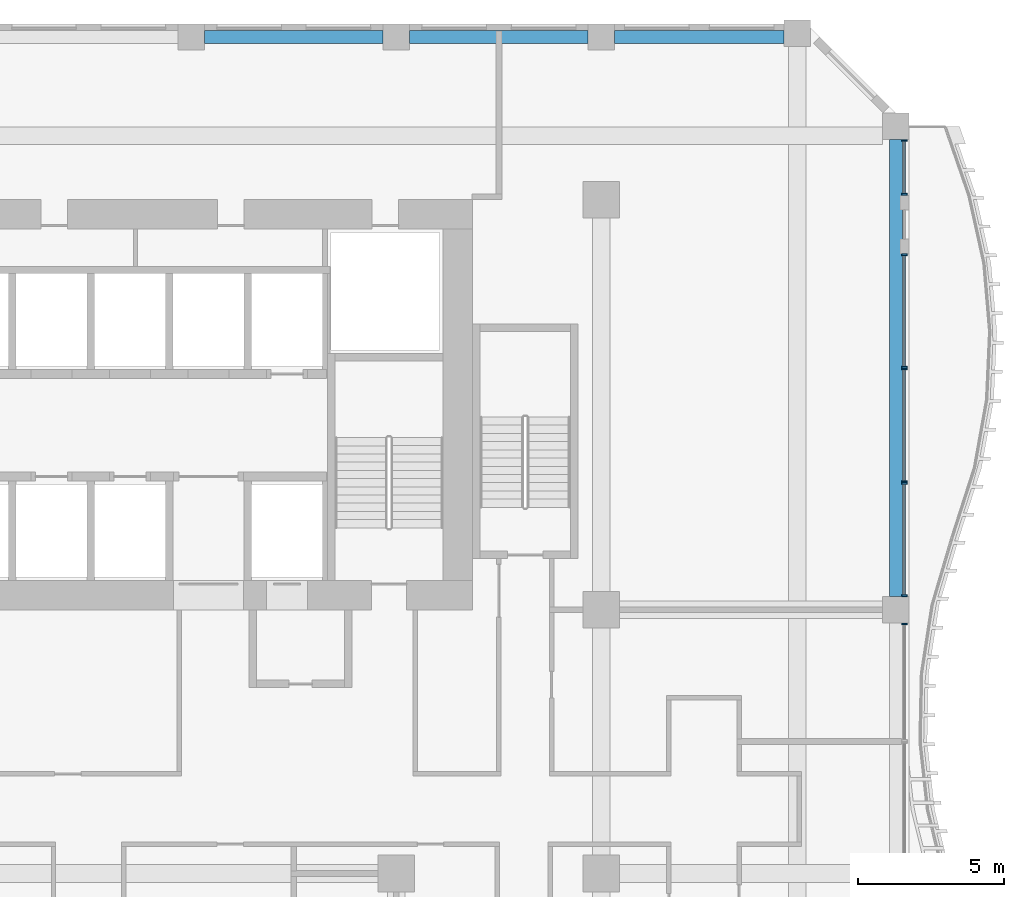
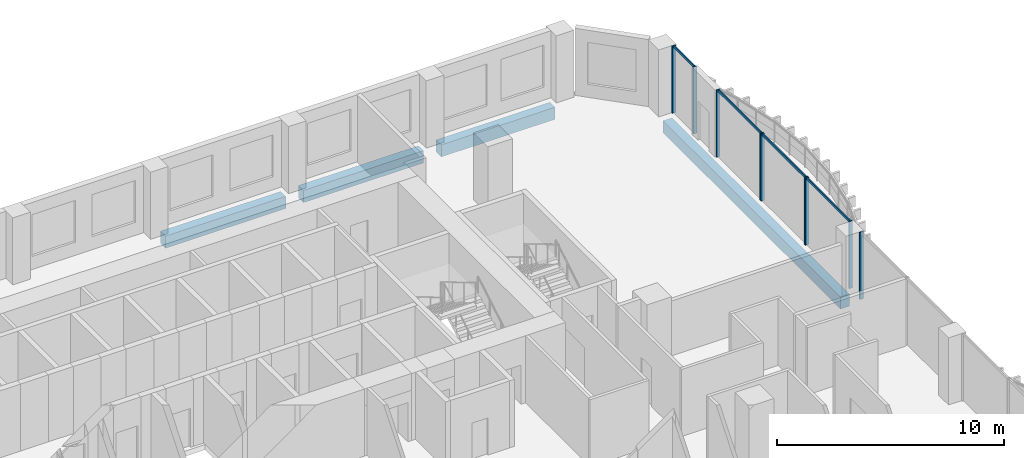
# One storey, part 10 of 21: 13 members, 4 beams, 5 elements without a shape of their own.
"""IFC4 building model written with IfcOpenShell, lengths in metres."""

from ifc_helpers import new_model, si_unit, direction, frame, origin, origin_2d, place, context, subcontext, project, spatial, rectangle, extrude, source, transform, mapped, material, material_profile, profile_set, type_object, element, aggregate, save


model = new_model("IFC4")

# Units and contexts
model_context = context("Model", 3, precision=1e-05, world=origin(), true_north=direction((0.0, 1.0)))
body_context = subcontext(model_context, "Body", "Model", "MODEL_VIEW")
ifc_project = project(units=[si_unit("LENGTHUNIT", "METRE"), si_unit("AREAUNIT", "SQUARE_METRE"), si_unit("VOLUMEUNIT", "CUBIC_METRE"), si_unit("PLANEANGLEUNIT", "RADIAN"), si_unit("MASSUNIT", "GRAM", prefix="KILO")], contexts=[model_context])

# Site, building, storey
site_placement = place(None, origin())
site = spatial("IfcSite", under=ifc_project, at=site_placement, CompositionType="ELEMENT")
building_placement = place(site_placement, origin())
building = spatial("IfcBuilding", under=site, at=building_placement, Name="Kilnfold Tower and Market Hall", CompositionType="ELEMENT")
storey_placement = place(building_placement, frame((0.0, 0.0, 91.199951171875)))
storey = spatial("IfcBuildingStorey", under=building, at=storey_placement, Name="L21", CompositionType="ELEMENT", Elevation=91.199951171875)

# Beams
ifc_material_1 = material(Name="Concrete C45", Category="concrete")
ifc_material_profile_1 = material_profile(ifc_material_1, rectangle(XDim=0.449951171875, YDim=0.64990234375, at=origin_2d()), Name="RC 450x650")
ifc_profile_set_1 = profile_set([ifc_material_profile_1], Name="Concrete C45")
beam_type = type_object("IfcBeamType", Name="EDGE BEAM 450X650 C45", PredefinedType="BEAM", material=ifc_profile_set_1)
shared_shape_1 = source(origin(), body_context, "Body", "SweptSolid", [
    extrude(rectangle(XDim=0.449951171875, YDim=0.64990234375, at=origin_2d()), origin(), (0.0, 0.0, 1.0), 6.10009765625),
])
for number, where, z_axis, x_axis, name in (
    (1, (8.949951171875, 27.550048828125, -0.60498046875), (1.0, 0.0, 0.0), (0.0, 1.0, 0.0), "Beam EB650-B2.79"),
    (2, (15.949951171875, 27.550048828125, -0.60498046875), (1.0, 0.0, 0.0), (0.0, 1.0, 0.0), "Beam EB650-B2.80"),
):
    element("IfcBeam", number, at=place(storey_placement, frame(where, z_axis=z_axis, x_axis=x_axis)), inside=storey, type_object=beam_type, Name=name, PredefinedType="BEAM", context=body_context, shape_type="MappedRepresentation", body=[
        mapped(shared_shape_1, transform((0.0, 0.0, 0.0))),
    ])
shared_shape_2 = source(origin(), body_context, "Body", "SweptSolid", [
    extrude(rectangle(XDim=0.449951171875, YDim=0.64990234375, at=origin_2d()), origin(), (0.0, 0.0, 1.0), 5.78173828125),
])
beam_1_placement = place(storey_placement, frame((22.949951171875, 27.550048828125, -0.60498046875), z_axis=(1.0, 0.0, 0.0), x_axis=(0.0, 1.0, 0.0)))
element("IfcBeam", 3, at=beam_1_placement, inside=storey, type_object=beam_type, Name="Beam EB650-B2.81", PredefinedType="BEAM", context=body_context, shape_type="MappedRepresentation", body=[
    mapped(shared_shape_2, transform((0.0, 0.0, 0.0))),
])
shared_shape_3 = source(origin(), body_context, "Body", "SweptSolid", [
    extrude(rectangle(XDim=0.449951171875, YDim=0.64990234375, at=origin_2d()), origin(), (0.0, 0.0, 1.0), 15.60009765625),
])
beam_2_placement = place(storey_placement, frame((32.550048828125, 8.449951171875, -0.60498046875), z_axis=(0.0, 1.0, 0.0), x_axis=(-1.0, 0.0, 0.0)))
element("IfcBeam", 4, at=beam_2_placement, inside=storey, type_object=beam_type, Name="Beam EB650-B2.103", PredefinedType="BEAM", context=body_context, shape_type="MappedRepresentation", body=[
    mapped(shared_shape_3, transform((0.0, 0.0, 0.0))),
])

# Curtain wall, member
ifc_material_2 = material(Name="Aluminium and double glazing", Category="aluminium")
curtain_wall_type = type_object("IfcCurtainWallType", Name="CW OF1 VALLEY GLAZING", PredefinedType="NOTDEFINED", material=ifc_material_2)
curtain_wall_1_placement = place(storey_placement, origin())
curtain_wall_1 = element("IfcCurtainWall", 5, at=curtain_wall_1_placement, inside=storey, type_object=curtain_wall_type, Name="Curtain wall CW1 L21 E", PredefinedType="NOTDEFINED")
ifc_material_3 = material(Name="Aluminium", Category="aluminium")
ifc_material_profile_2 = material_profile(ifc_material_3, rectangle(XDim=0.06005859375, YDim=0.139892578125, at=origin_2d()), Name="TRANSOM 60x140")
ifc_profile_set_2 = profile_set([ifc_material_profile_2], Name="Aluminium")
member_type_1 = type_object("IfcMemberType", Name="TRANSOM 60X140", PredefinedType="USERDEFINED", material=ifc_profile_set_2)
shared_shape_4 = source(origin(), body_context, "Body", "SweptSolid", [
    extrude(rectangle(XDim=0.06005859375, YDim=0.139892578125, at=origin_2d()), origin(), (0.0, 0.0, 1.0), 3.780029296875),
])
member_1_placement = place(storey_placement, frame((32.85009765625, 8.510009765625, 3.570068359375), z_axis=(0.0, 1.0, 0.0), x_axis=(-1.0, 0.0, 0.0)))
member_1 = element("IfcMember", 6, at=member_1_placement, type_object=member_type_1, Name="CW1 transom 1.2", ObjectType="TRANSOM", PredefinedType="USERDEFINED", context=body_context, shape_type="MappedRepresentation", body=[
    mapped(shared_shape_4, transform((0.0, 0.0, 0.0))),
])

curtain_wall_2_placement = place(storey_placement, origin())
curtain_wall_2 = element("IfcCurtainWall", 7, at=curtain_wall_2_placement, inside=storey, type_object=curtain_wall_type, Name="Curtain wall CW1 L21 E", PredefinedType="NOTDEFINED")
member_2_placement = place(storey_placement, frame((32.85009765625, 12.409912109375, 3.570068359375), z_axis=(0.0, 1.0, 0.0), x_axis=(-1.0, 0.0, 0.0)))
member_2 = element("IfcMember", 8, at=member_2_placement, type_object=member_type_1, Name="CW1 transom 1.2", ObjectType="TRANSOM", PredefinedType="USERDEFINED", context=body_context, shape_type="MappedRepresentation", body=[
    mapped(shared_shape_4, transform((0.0, 0.0, 0.0))),
])

curtain_wall_3_placement = place(storey_placement, origin())
curtain_wall_3 = element("IfcCurtainWall", 9, at=curtain_wall_3_placement, inside=storey, type_object=curtain_wall_type, Name="Curtain wall CW1 L21 E", PredefinedType="NOTDEFINED")
member_3_placement = place(storey_placement, frame((32.85009765625, 16.31005859375, 3.570068359375), z_axis=(0.0, 1.0, 0.0), x_axis=(-1.0, 0.0, 0.0)))
member_3 = element("IfcMember", 10, at=member_3_placement, type_object=member_type_1, Name="CW1 transom 1.2", ObjectType="TRANSOM", PredefinedType="USERDEFINED", context=body_context, shape_type="MappedRepresentation", body=[
    mapped(shared_shape_4, transform((0.0, 0.0, 0.0))),
])

curtain_wall_4_placement = place(storey_placement, origin())
curtain_wall_4 = element("IfcCurtainWall", 11, at=curtain_wall_4_placement, inside=storey, type_object=curtain_wall_type, Name="Curtain wall CW1 L21 E", PredefinedType="NOTDEFINED")
shared_shape_5 = source(origin(), body_context, "Body", "SweptSolid", [
    extrude(rectangle(XDim=0.06005859375, YDim=0.139892578125, at=origin_2d()), origin(), (0.0, 0.0, 1.0), 1.780029296875),
])
member_4_placement = place(storey_placement, frame((32.85009765625, 22.2099609375, 3.570068359375), z_axis=(0.0, 1.0, 0.0), x_axis=(-1.0, 0.0, 0.0)))
member_4 = element("IfcMember", 12, at=member_4_placement, type_object=member_type_1, Name="CW1 transom 1.2", ObjectType="TRANSOM", PredefinedType="USERDEFINED", context=body_context, shape_type="MappedRepresentation", body=[
    mapped(shared_shape_5, transform((0.0, 0.0, 0.0))),
])

curtain_wall_5_placement = place(storey_placement, origin())
curtain_wall_5 = element("IfcCurtainWall", 13, at=curtain_wall_5_placement, inside=storey, type_object=curtain_wall_type, Name="Curtain wall CW1 L21 E", PredefinedType="NOTDEFINED")
ifc_material_4 = material(Name="Aluminium", Category="aluminium")
ifc_material_profile_3 = material_profile(ifc_material_4, rectangle(XDim=0.06005859375, YDim=0.179931640625, at=origin_2d()), Name="MULLION 60x180")
ifc_profile_set_3 = profile_set([ifc_material_profile_3], Name="Aluminium")
member_type_2 = type_object("IfcMemberType", Name="MULLION 60X180", PredefinedType="MULLION", material=ifc_profile_set_3)
shared_shape_6 = source(origin(), body_context, "Body", "SweptSolid", [
    extrude(rectangle(XDim=0.06005859375, YDim=0.179931640625, at=origin_2d()), origin(), (0.0, 0.0, 1.0), 3.60009765625),
])
member_5_placement = place(storey_placement, frame((32.85009765625, 7.52001953125, 0.0), z_axis=(0.0, 0.0, 1.0), x_axis=(0.0, 1.0, 0.0)))
member_5 = element("IfcMember", 14, at=member_5_placement, type_object=member_type_2, Name="CW1 mullion 2", PredefinedType="MULLION", context=body_context, shape_type="MappedRepresentation", body=[
    mapped(shared_shape_6, transform((0.0, 0.0, 0.0))),
])
aggregate(curtain_wall_5, [member_5])

# Member
member_6_placement = place(storey_placement, frame((32.85009765625, 8.47998046875, 0.0), z_axis=(0.0, 0.0, 1.0), x_axis=(0.0, 1.0, 0.0)))
member_6 = element("IfcMember", 15, at=member_6_placement, type_object=member_type_2, Name="CW1 mullion 1", PredefinedType="MULLION", context=body_context, shape_type="MappedRepresentation", body=[
    mapped(shared_shape_6, transform((0.0, 0.0, 0.0))),
])

member_7_placement = place(storey_placement, frame((32.85009765625, 12.320068359375, 0.0), z_axis=(0.0, 0.0, 1.0), x_axis=(0.0, 1.0, 0.0)))
member_7 = element("IfcMember", 16, at=member_7_placement, type_object=member_type_2, Name="CW1 mullion 2", PredefinedType="MULLION", context=body_context, shape_type="MappedRepresentation", body=[
    mapped(shared_shape_6, transform((0.0, 0.0, 0.0))),
])

aggregate(curtain_wall_1, [member_6, member_7, member_1])

member_8_placement = place(storey_placement, frame((32.85009765625, 12.3798828125, 0.0), z_axis=(0.0, 0.0, 1.0), x_axis=(0.0, 1.0, 0.0)))
member_8 = element("IfcMember", 17, at=member_8_placement, type_object=member_type_2, Name="CW1 mullion 1", PredefinedType="MULLION", context=body_context, shape_type="MappedRepresentation", body=[
    mapped(shared_shape_6, transform((0.0, 0.0, 0.0))),
])

member_9_placement = place(storey_placement, frame((32.85009765625, 16.219970703125, 0.0), z_axis=(0.0, 0.0, 1.0), x_axis=(0.0, 1.0, 0.0)))
member_9 = element("IfcMember", 18, at=member_9_placement, type_object=member_type_2, Name="CW1 mullion 2", PredefinedType="MULLION", context=body_context, shape_type="MappedRepresentation", body=[
    mapped(shared_shape_6, transform((0.0, 0.0, 0.0))),
])

aggregate(curtain_wall_2, [member_8, member_9, member_2])

member_10_placement = place(storey_placement, frame((32.85009765625, 16.280029296875, 0.0), z_axis=(0.0, 0.0, 1.0), x_axis=(0.0, 1.0, 0.0)))
member_10 = element("IfcMember", 19, at=member_10_placement, type_object=member_type_2, Name="CW1 mullion 1", PredefinedType="MULLION", context=body_context, shape_type="MappedRepresentation", body=[
    mapped(shared_shape_6, transform((0.0, 0.0, 0.0))),
])

member_11_placement = place(storey_placement, frame((32.85009765625, 20.1201171875, 0.0), z_axis=(0.0, 0.0, 1.0), x_axis=(0.0, 1.0, 0.0)))
member_11 = element("IfcMember", 20, at=member_11_placement, type_object=member_type_2, Name="CW1 mullion 2", PredefinedType="MULLION", context=body_context, shape_type="MappedRepresentation", body=[
    mapped(shared_shape_6, transform((0.0, 0.0, 0.0))),
])

aggregate(curtain_wall_3, [member_10, member_11, member_3])

member_12_placement = place(storey_placement, frame((32.85009765625, 22.179931640625, 0.0), z_axis=(0.0, 0.0, 1.0), x_axis=(0.0, 1.0, 0.0)))
member_12 = element("IfcMember", 21, at=member_12_placement, type_object=member_type_2, Name="CW1 mullion 1", PredefinedType="MULLION", context=body_context, shape_type="MappedRepresentation", body=[
    mapped(shared_shape_6, transform((0.0, 0.0, 0.0))),
])

member_13_placement = place(storey_placement, frame((32.85009765625, 24.02001953125, 0.0), z_axis=(0.0, 0.0, 1.0), x_axis=(0.0, 1.0, 0.0)))
member_13 = element("IfcMember", 22, at=member_13_placement, type_object=member_type_2, Name="CW1 mullion 2", PredefinedType="MULLION", context=body_context, shape_type="MappedRepresentation", body=[
    mapped(shared_shape_6, transform((0.0, 0.0, 0.0))),
])

aggregate(curtain_wall_4, [member_12, member_13, member_4])

save(model, "model.ifc")
